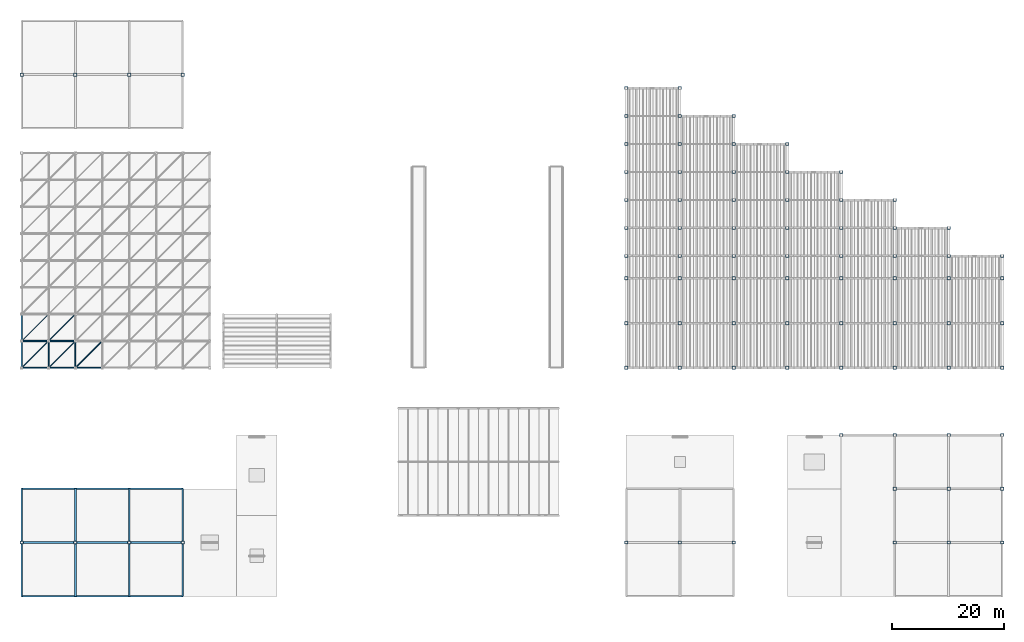
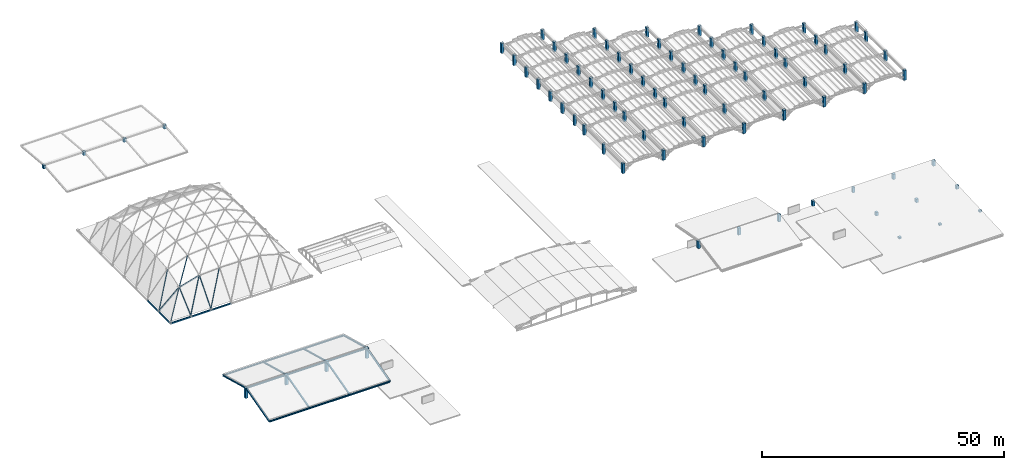
# One storey, part 1 of 70: 80 columns, 22 beams, 9 members.
"""IFC4 building model written with IfcOpenShell, lengths in metres."""

from ifc_helpers import new_model, si_unit, direction, frame, origin, origin_2d, place, context, subcontext, project, spatial, rectangle, hollow_rectangle, hollow_circle, i_section, extrude, material, material_profile, profile_set, type_object, element, save


model = new_model("IFC4")

# Units and contexts
model_context = context("Model", 3, precision=1e-05, world=origin(), true_north=direction((0.0, 1.0)))
body_context = subcontext(model_context, "Body", "Model", "MODEL_VIEW")
ifc_project = project(units=[si_unit("LENGTHUNIT", "METRE"), si_unit("AREAUNIT", "SQUARE_METRE"), si_unit("VOLUMEUNIT", "CUBIC_METRE"), si_unit("PLANEANGLEUNIT", "RADIAN"), si_unit("MASSUNIT", "GRAM", prefix="KILO")], contexts=[model_context])

# Site, building, storey
site_placement = place(None, origin())
site = spatial("IfcSite", under=ifc_project, at=site_placement, CompositionType="ELEMENT")
building_placement = place(site_placement, origin())
building = spatial("IfcBuilding", under=site, at=building_placement, Name="Mavantir Sound Aquarium", CompositionType="ELEMENT")
storey_placement = place(building_placement, frame((0.0, 0.0, 27.0)))
storey = spatial("IfcBuildingStorey", under=building, at=storey_placement, Name="RF", CompositionType="ELEMENT", Elevation=27.0)

# Columns
ifc_material_1 = material(Name="Concrete C40/50", Category="concrete")
ifc_material_profile_1 = material_profile(ifc_material_1, rectangle(XDim=0.60009765625, YDim=0.60009765625, at=origin_2d()), Name="RC 600X600")
ifc_profile_set_1 = profile_set([ifc_material_profile_1], Name="Concrete C40/50")
column_type_1 = type_object("IfcColumnType", Name="COL-RC600-E", PredefinedType="COLUMN", material=ifc_profile_set_1)
for number, where, z_axis, x_axis, name in (
    (1, (108.0, 40.800048828125, -7.199951171875), (0.0, 0.0, 1.0), (1.0, 0.0, 0.0), "Scalloped roof ridge column 1.41"),
    (2, (108.0, 48.800048828125, -7.199951171875), (0.0, 0.0, 1.0), (1.0, 0.0, 0.0), "Scalloped roof ridge column 1.49"),
    (3, (108.0, 56.800048828125, -7.199951171875), (0.0, 0.0, 1.0), (1.0, 0.0, 0.0), "Scalloped roof ridge column 1.57"),
    (4, (108.0, 60.800048828125, -7.199951171875), (0.0, 0.0, 1.0), (1.0, 0.0, 0.0), "Scalloped roof ridge column 1.61"),
    (5, (108.0, 65.800048828125, -7.199951171875), (0.0, 0.0, 1.0), (1.0, 0.0, 0.0), "Scalloped roof ridge column 1.66"),
    (6, (108.0, 70.800048828125, -7.199951171875), (0.0, 0.0, 1.0), (1.0, 0.0, 0.0), "Scalloped roof ridge column 1.71"),
    (7, (108.0, 75.800048828125, -7.199951171875), (0.0, 0.0, 1.0), (1.0, 0.0, 0.0), "Scalloped roof ridge column 1.76"),
    (8, (108.0, 80.800048828125, -7.199951171875), (0.0, 0.0, 1.0), (1.0, 0.0, 0.0), "Scalloped roof ridge column 1.81"),
    (9, (108.0, 85.800048828125, -7.199951171875), (0.0, 0.0, 1.0), (1.0, 0.0, 0.0), "Scalloped roof ridge column 1.86"),
    (10, (108.0, 90.800048828125, -7.199951171875), (0.0, 0.0, 1.0), (1.0, 0.0, 0.0), "Scalloped roof ridge column 1.91"),
    (11, (117.60009765625, 40.800048828125, -7.199951171875), (0.0, 0.0, 1.0), (1.0, 0.0, 0.0), "Scalloped roof ridge column 2.41"),
    (12, (117.60009765625, 90.800048828125, -7.199951171875), (0.0, 0.0, 1.0), (1.0, 0.0, 0.0), "Scalloped roof ridge column 2.91"),
    (13, (127.199951171875, 40.800048828125, -7.199951171875), (0.0, 0.0, 1.0), (1.0, 0.0, 0.0), "Scalloped roof ridge column 3.41"),
    (14, (127.199951171875, 85.800048828125, -7.199951171875), (0.0, 0.0, 1.0), (1.0, 0.0, 0.0), "Scalloped roof ridge column 3.86"),
    (15, (136.800048828125, 40.800048828125, -7.199951171875), (0.0, 0.0, 1.0), (1.0, 0.0, 0.0), "Scalloped roof ridge column 4.41"),
    (16, (136.800048828125, 80.800048828125, -7.199951171875), (0.0, 0.0, 1.0), (1.0, 0.0, 0.0), "Scalloped roof ridge column 4.81"),
    (17, (146.39990234375, 40.800048828125, -7.199951171875), (0.0, 0.0, 1.0), (1.0, 0.0, 0.0), "Scalloped roof ridge column 5.41"),
    (18, (146.39990234375, 75.800048828125, -7.199951171875), (0.0, 0.0, 1.0), (1.0, 0.0, 0.0), "Scalloped roof ridge column 5.76"),
    (19, (156.0, 40.800048828125, -7.199951171875), (0.0, 0.0, 1.0), (1.0, 0.0, 0.0), "Scalloped roof ridge column 6.41"),
    (20, (156.0, 70.800048828125, -7.199951171875), (0.0, 0.0, 1.0), (1.0, 0.0, 0.0), "Scalloped roof ridge column 6.71"),
    (21, (165.60009765625, 40.800048828125, -7.199951171875), (0.0, 0.0, 1.0), (1.0, 0.0, 0.0), "Scalloped roof ridge column 7.41"),
    (22, (165.60009765625, 65.800048828125, -7.199951171875), (0.0, 0.0, 1.0), (1.0, 0.0, 0.0), "Scalloped roof ridge column 7.66"),
    (23, (175.199951171875, 40.800048828125, -7.199951171875), (0.0, 0.0, 1.0), (1.0, 0.0, 0.0), "Scalloped roof ridge column 8.41"),
    (24, (175.199951171875, 48.800048828125, -7.199951171875), (0.0, 0.0, 1.0), (1.0, 0.0, 0.0), "Scalloped roof ridge column 8.49"),
    (25, (175.199951171875, 56.800048828125, -7.199951171875), (0.0, 0.0, 1.0), (1.0, 0.0, 0.0), "Scalloped roof ridge column 8.57"),
    (26, (175.199951171875, 60.800048828125, -7.199951171875), (0.0, 0.0, 1.0), (1.0, 0.0, 0.0), "Scalloped roof ridge column 8.61"),
):
    element("IfcColumn", number, at=place(storey_placement, frame(where, z_axis=z_axis, x_axis=x_axis)), inside=storey, type_object=column_type_1, Name=name, PredefinedType="COLUMN", context=body_context, shape_type="SweptSolid", body=[
        extrude(rectangle(XDim=0.60009765625, YDim=0.60009765625, at=origin_2d()), origin(), (0.0, 0.0, 1.0), 2.5),
    ])
ifc_material_profile_2 = material_profile(ifc_material_1, rectangle(XDim=0.60009765625, YDim=0.60009765625, at=origin_2d()), Name="RC 600X600")
ifc_profile_set_2 = profile_set([ifc_material_profile_2], Name="Concrete C40/50")
column_type_2 = type_object("IfcColumnType", Name="COL-RC600-I", PredefinedType="COLUMN", material=ifc_profile_set_2)
for number, where, z_axis, x_axis, name in (
    (27, (117.60009765625, 48.800048828125, -7.199951171875), (0.0, 0.0, 1.0), (1.0, 0.0, 0.0), "Scalloped roof ridge column 2.49"),
    (28, (117.60009765625, 56.800048828125, -7.199951171875), (0.0, 0.0, 1.0), (1.0, 0.0, 0.0), "Scalloped roof ridge column 2.57"),
    (29, (117.60009765625, 60.800048828125, -7.199951171875), (0.0, 0.0, 1.0), (1.0, 0.0, 0.0), "Scalloped roof ridge column 2.61"),
    (30, (117.60009765625, 65.800048828125, -7.199951171875), (0.0, 0.0, 1.0), (1.0, 0.0, 0.0), "Scalloped roof ridge column 2.66"),
    (31, (117.60009765625, 70.800048828125, -7.199951171875), (0.0, 0.0, 1.0), (1.0, 0.0, 0.0), "Scalloped roof ridge column 2.71"),
    (32, (117.60009765625, 75.800048828125, -7.199951171875), (0.0, 0.0, 1.0), (1.0, 0.0, 0.0), "Scalloped roof ridge column 2.76"),
    (33, (117.60009765625, 80.800048828125, -7.199951171875), (0.0, 0.0, 1.0), (1.0, 0.0, 0.0), "Scalloped roof ridge column 2.81"),
    (34, (117.60009765625, 85.800048828125, -7.199951171875), (0.0, 0.0, 1.0), (1.0, 0.0, 0.0), "Scalloped roof ridge column 2.86"),
    (35, (127.199951171875, 48.800048828125, -7.199951171875), (0.0, 0.0, 1.0), (1.0, 0.0, 0.0), "Scalloped roof ridge column 3.49"),
    (36, (127.199951171875, 56.800048828125, -7.199951171875), (0.0, 0.0, 1.0), (1.0, 0.0, 0.0), "Scalloped roof ridge column 3.57"),
    (37, (127.199951171875, 60.800048828125, -7.199951171875), (0.0, 0.0, 1.0), (1.0, 0.0, 0.0), "Scalloped roof ridge column 3.61"),
    (38, (127.199951171875, 65.800048828125, -7.199951171875), (0.0, 0.0, 1.0), (1.0, 0.0, 0.0), "Scalloped roof ridge column 3.66"),
    (39, (127.199951171875, 70.800048828125, -7.199951171875), (0.0, 0.0, 1.0), (1.0, 0.0, 0.0), "Scalloped roof ridge column 3.71"),
    (40, (127.199951171875, 75.800048828125, -7.199951171875), (0.0, 0.0, 1.0), (1.0, 0.0, 0.0), "Scalloped roof ridge column 3.76"),
    (41, (127.199951171875, 80.800048828125, -7.199951171875), (0.0, 0.0, 1.0), (1.0, 0.0, 0.0), "Scalloped roof ridge column 3.81"),
    (42, (136.800048828125, 48.800048828125, -7.199951171875), (0.0, 0.0, 1.0), (1.0, 0.0, 0.0), "Scalloped roof ridge column 4.49"),
    (43, (136.800048828125, 56.800048828125, -7.199951171875), (0.0, 0.0, 1.0), (1.0, 0.0, 0.0), "Scalloped roof ridge column 4.57"),
    (44, (136.800048828125, 60.800048828125, -7.199951171875), (0.0, 0.0, 1.0), (1.0, 0.0, 0.0), "Scalloped roof ridge column 4.61"),
    (45, (136.800048828125, 65.800048828125, -7.199951171875), (0.0, 0.0, 1.0), (1.0, 0.0, 0.0), "Scalloped roof ridge column 4.66"),
    (46, (136.800048828125, 70.800048828125, -7.199951171875), (0.0, 0.0, 1.0), (1.0, 0.0, 0.0), "Scalloped roof ridge column 4.71"),
    (47, (136.800048828125, 75.800048828125, -7.199951171875), (0.0, 0.0, 1.0), (1.0, 0.0, 0.0), "Scalloped roof ridge column 4.76"),
    (48, (146.39990234375, 48.800048828125, -7.199951171875), (0.0, 0.0, 1.0), (1.0, 0.0, 0.0), "Scalloped roof ridge column 5.49"),
    (49, (146.39990234375, 56.800048828125, -7.199951171875), (0.0, 0.0, 1.0), (1.0, 0.0, 0.0), "Scalloped roof ridge column 5.57"),
    (50, (146.39990234375, 60.800048828125, -7.199951171875), (0.0, 0.0, 1.0), (1.0, 0.0, 0.0), "Scalloped roof ridge column 5.61"),
    (51, (146.39990234375, 65.800048828125, -7.199951171875), (0.0, 0.0, 1.0), (1.0, 0.0, 0.0), "Scalloped roof ridge column 5.66"),
    (52, (146.39990234375, 70.800048828125, -7.199951171875), (0.0, 0.0, 1.0), (1.0, 0.0, 0.0), "Scalloped roof ridge column 5.71"),
    (53, (156.0, 48.800048828125, -7.199951171875), (0.0, 0.0, 1.0), (1.0, 0.0, 0.0), "Scalloped roof ridge column 6.49"),
    (54, (156.0, 56.800048828125, -7.199951171875), (0.0, 0.0, 1.0), (1.0, 0.0, 0.0), "Scalloped roof ridge column 6.57"),
    (55, (156.0, 60.800048828125, -7.199951171875), (0.0, 0.0, 1.0), (1.0, 0.0, 0.0), "Scalloped roof ridge column 6.61"),
    (56, (156.0, 65.800048828125, -7.199951171875), (0.0, 0.0, 1.0), (1.0, 0.0, 0.0), "Scalloped roof ridge column 6.66"),
    (57, (165.60009765625, 48.800048828125, -7.199951171875), (0.0, 0.0, 1.0), (1.0, 0.0, 0.0), "Scalloped roof ridge column 7.49"),
    (58, (165.60009765625, 56.800048828125, -7.199951171875), (0.0, 0.0, 1.0), (1.0, 0.0, 0.0), "Scalloped roof ridge column 7.57"),
    (59, (165.60009765625, 60.800048828125, -7.199951171875), (0.0, 0.0, 1.0), (1.0, 0.0, 0.0), "Scalloped roof ridge column 7.61"),
):
    element("IfcColumn", number, at=place(storey_placement, frame(where, z_axis=z_axis, x_axis=x_axis)), inside=storey, type_object=column_type_2, Name=name, PredefinedType="COLUMN", context=body_context, shape_type="SweptSolid", body=[
        extrude(rectangle(XDim=0.60009765625, YDim=0.60009765625, at=origin_2d()), origin(), (0.0, 0.0, 1.0), 2.5),
    ])
for number, where, z_axis, x_axis, name in (
    (60, (0.0, 9.60009765625, -7.199951171875), (0.0, 0.0, 1.0), (1.0, 0.0, 0.0), "Pavilion gable ridge post 1"),
    (61, (9.60009765625, 9.60009765625, -7.199951171875), (0.0, 0.0, 1.0), (1.0, 0.0, 0.0), "Pavilion gable ridge post 2"),
    (62, (19.199951171875, 9.60009765625, -7.199951171875), (0.0, 0.0, 1.0), (1.0, 0.0, 0.0), "Pavilion gable ridge post 3"),
    (63, (28.800048828125, 9.60009765625, -7.199951171875), (0.0, 0.0, 1.0), (1.0, 0.0, 0.0), "Pavilion gable ridge post 4"),
):
    element("IfcColumn", number, at=place(storey_placement, frame(where, z_axis=z_axis, x_axis=x_axis)), inside=storey, type_object=column_type_2, Name=name, PredefinedType="COLUMN", context=body_context, shape_type="SweptSolid", body=[
        extrude(rectangle(XDim=0.60009765625, YDim=0.60009765625, at=origin_2d()), origin(), (0.0, 0.0, 1.0), 2.599853515625),
    ])
for number, where, z_axis, x_axis, name in (
    (64, (0.0, 93.199951171875, 0.0), (0.0, 0.0, 1.0), (1.0, 0.0, 0.0), "Pavilion gable ridge post 22"),
    (65, (9.60009765625, 93.199951171875, 0.0), (0.0, 0.0, 1.0), (1.0, 0.0, 0.0), "Pavilion gable ridge post 23"),
    (66, (19.199951171875, 93.199951171875, 0.0), (0.0, 0.0, 1.0), (1.0, 0.0, 0.0), "Pavilion gable ridge post 24"),
    (67, (28.800048828125, 93.199951171875, 0.0), (0.0, 0.0, 1.0), (1.0, 0.0, 0.0), "Pavilion gable ridge post 25"),
):
    element("IfcColumn", number, at=place(storey_placement, frame(where, z_axis=z_axis, x_axis=x_axis)), inside=storey, type_object=column_type_2, Name=name, PredefinedType="COLUMN", context=body_context, shape_type="SweptSolid", body=[
        extrude(rectangle(XDim=0.60009765625, YDim=0.60009765625, at=origin_2d()), origin(), (0.0, 0.0, 1.0), 0.89990234375),
    ])
for number, where, z_axis, x_axis, name in (
    (68, (108.0, 9.60009765625, -7.199951171875), (0.0, 0.0, 1.0), (1.0, 0.0, 0.0), "Pavilion gable ridge post 43"),
    (69, (117.60009765625, 9.60009765625, -7.199951171875), (0.0, 0.0, 1.0), (1.0, 0.0, 0.0), "Pavilion gable ridge post 44"),
    (70, (127.199951171875, 9.60009765625, -7.199951171875), (0.0, 0.0, 1.0), (1.0, 0.0, 0.0), "Pavilion gable ridge post 45"),
):
    element("IfcColumn", number, at=place(storey_placement, frame(where, z_axis=z_axis, x_axis=x_axis)), inside=storey, type_object=column_type_2, Name=name, PredefinedType="COLUMN", context=body_context, shape_type="SweptSolid", body=[
        extrude(rectangle(XDim=0.60009765625, YDim=0.60009765625, at=origin_2d()), origin(), (0.0, 0.0, 1.0), 1.800048828125),
    ])
column_1_placement = place(storey_placement, frame((146.39990234375, 28.800048828125, -21.60009765625), z_axis=(0.0, 0.0, 1.0), x_axis=(1.0, 0.0, 0.0)))
element("IfcColumn", 71, at=column_1_placement, inside=storey, type_object=column_type_2, Name="Pavilion gable ridge post 58", PredefinedType="COLUMN", context=body_context, shape_type="SweptSolid", body=[
    extrude(rectangle(XDim=0.60009765625, YDim=0.60009765625, at=origin_2d()), origin(), (0.0, 0.0, 1.0), 1.300048828125),
])
column_2_placement = place(storey_placement, frame((156.0, 9.60009765625, -21.60009765625), z_axis=(0.0, 0.0, 1.0), x_axis=(1.0, 0.0, 0.0)))
element("IfcColumn", 72, at=column_2_placement, inside=storey, type_object=column_type_2, Name="Pavilion gable ridge post 59", PredefinedType="COLUMN", context=body_context, shape_type="SweptSolid", body=[
    extrude(rectangle(XDim=0.60009765625, YDim=0.60009765625, at=origin_2d()), origin(), (0.0, 0.0, 1.0), 0.433349609375),
])
column_3_placement = place(storey_placement, frame((156.0, 19.199951171875, -21.60009765625), z_axis=(0.0, 0.0, 1.0), x_axis=(1.0, 0.0, 0.0)))
element("IfcColumn", 73, at=column_3_placement, inside=storey, type_object=column_type_2, Name="Pavilion gable ridge post 60", PredefinedType="COLUMN", context=body_context, shape_type="SweptSolid", body=[
    extrude(rectangle(XDim=0.60009765625, YDim=0.60009765625, at=origin_2d()), origin(), (0.0, 0.0, 1.0), 0.86669921875),
])
column_4_placement = place(storey_placement, frame((156.0, 28.800048828125, -21.60009765625), z_axis=(0.0, 0.0, 1.0), x_axis=(1.0, 0.0, 0.0)))
element("IfcColumn", 74, at=column_4_placement, inside=storey, type_object=column_type_2, Name="Pavilion gable ridge post 61", PredefinedType="COLUMN", context=body_context, shape_type="SweptSolid", body=[
    extrude(rectangle(XDim=0.60009765625, YDim=0.60009765625, at=origin_2d()), origin(), (0.0, 0.0, 1.0), 1.300048828125),
])
column_5_placement = place(storey_placement, frame((165.60009765625, 9.60009765625, -21.60009765625), z_axis=(0.0, 0.0, 1.0), x_axis=(1.0, 0.0, 0.0)))
element("IfcColumn", 75, at=column_5_placement, inside=storey, type_object=column_type_2, Name="Pavilion gable ridge post 62", PredefinedType="COLUMN", context=body_context, shape_type="SweptSolid", body=[
    extrude(rectangle(XDim=0.60009765625, YDim=0.60009765625, at=origin_2d()), origin(), (0.0, 0.0, 1.0), 0.433349609375),
])
column_6_placement = place(storey_placement, frame((165.60009765625, 19.199951171875, -21.60009765625), z_axis=(0.0, 0.0, 1.0), x_axis=(1.0, 0.0, 0.0)))
element("IfcColumn", 76, at=column_6_placement, inside=storey, type_object=column_type_2, Name="Pavilion gable ridge post 63", PredefinedType="COLUMN", context=body_context, shape_type="SweptSolid", body=[
    extrude(rectangle(XDim=0.60009765625, YDim=0.60009765625, at=origin_2d()), origin(), (0.0, 0.0, 1.0), 0.86669921875),
])
column_7_placement = place(storey_placement, frame((165.60009765625, 28.800048828125, -21.60009765625), z_axis=(0.0, 0.0, 1.0), x_axis=(1.0, 0.0, 0.0)))
element("IfcColumn", 77, at=column_7_placement, inside=storey, type_object=column_type_2, Name="Pavilion gable ridge post 64", PredefinedType="COLUMN", context=body_context, shape_type="SweptSolid", body=[
    extrude(rectangle(XDim=0.60009765625, YDim=0.60009765625, at=origin_2d()), origin(), (0.0, 0.0, 1.0), 1.300048828125),
])
column_8_placement = place(storey_placement, frame((175.199951171875, 9.60009765625, -21.60009765625), z_axis=(0.0, 0.0, 1.0), x_axis=(1.0, 0.0, 0.0)))
element("IfcColumn", 78, at=column_8_placement, inside=storey, type_object=column_type_2, Name="Pavilion gable ridge post 65", PredefinedType="COLUMN", context=body_context, shape_type="SweptSolid", body=[
    extrude(rectangle(XDim=0.60009765625, YDim=0.60009765625, at=origin_2d()), origin(), (0.0, 0.0, 1.0), 0.433349609375),
])
column_9_placement = place(storey_placement, frame((175.199951171875, 19.199951171875, -21.60009765625), z_axis=(0.0, 0.0, 1.0), x_axis=(1.0, 0.0, 0.0)))
element("IfcColumn", 79, at=column_9_placement, inside=storey, type_object=column_type_2, Name="Pavilion gable ridge post 66", PredefinedType="COLUMN", context=body_context, shape_type="SweptSolid", body=[
    extrude(rectangle(XDim=0.60009765625, YDim=0.60009765625, at=origin_2d()), origin(), (0.0, 0.0, 1.0), 0.86669921875),
])
column_10_placement = place(storey_placement, frame((175.199951171875, 28.800048828125, -21.60009765625), z_axis=(0.0, 0.0, 1.0), x_axis=(1.0, 0.0, 0.0)))
element("IfcColumn", 80, at=column_10_placement, inside=storey, type_object=column_type_2, Name="Pavilion gable ridge post 67", PredefinedType="COLUMN", context=body_context, shape_type="SweptSolid", body=[
    extrude(rectangle(XDim=0.60009765625, YDim=0.60009765625, at=origin_2d()), origin(), (0.0, 0.0, 1.0), 1.300048828125),
])

# Beams
ifc_material_2 = material(Name="Hollow Structural Steel ASTM A500 GrC", Category="steel")
ifc_material_profile_3 = material_profile(ifc_material_2, hollow_rectangle(XDim=0.25, YDim=0.35009765625, WallThickness=0.012451171875, InnerFilletRadius=0.012451171875, OuterFilletRadius=0.02490234375, at=origin_2d()), Name="RHS 350X250X12.5")
ifc_profile_set_3 = profile_set([ifc_material_profile_3], Name="Hollow Structural Steel ASTM A500 GrC")
beam_type_1 = type_object("IfcBeamType", Name="BM-RB-RHS350-E", PredefinedType="BEAM", material=ifc_profile_set_3)
for number, where, z_axis, x_axis, name in (
    (81, (0.0, 40.800048828125, -7.419921875), (0.999991302772, 0.0, 0.004170656977), (0.0, 1.0, 0.0), "Gridshell perimeter ring beam RB-02 1"),
    (82, (4.800048828125, 40.800048828125, -7.419921875), (0.999991302772, 0.0, 0.004170656977), (0.0, 1.0, 0.0), "Gridshell perimeter ring beam RB-02 3"),
):
    element("IfcBeam", number, at=place(storey_placement, frame(where, z_axis=z_axis, x_axis=x_axis)), inside=storey, type_object=beam_type_1, Name=name, PredefinedType="BEAM", context=body_context, shape_type="SweptSolid", body=[
        extrude(hollow_rectangle(XDim=0.25, YDim=0.35009765625, WallThickness=0.012451171875, InnerFilletRadius=0.012451171875, OuterFilletRadius=0.02490234375, at=origin_2d()), origin(), (0.0, 0.0, 1.0), 4.800048828125),
    ])
beam_1_placement = place(storey_placement, frame((9.60009765625, 40.800048828125, -7.419921875), z_axis=(0.999991301888, 0.0, 0.004170869113), x_axis=(0.0, 1.0, 0.0)))
element("IfcBeam", 83, at=beam_1_placement, inside=storey, type_object=beam_type_1, Name="Gridshell perimeter ring beam RB-02 5", PredefinedType="BEAM", context=body_context, shape_type="SweptSolid", body=[
    extrude(hollow_rectangle(XDim=0.25, YDim=0.35009765625, WallThickness=0.012451171875, InnerFilletRadius=0.012451171875, OuterFilletRadius=0.02490234375, at=origin_2d()), origin(), (0.0, 0.0, 1.0), 4.7998046875),
])
beam_2_placement = place(storey_placement, frame((0.0, 40.800048828125, -7.419921875), z_axis=(0.0, 0.999991302772, 0.004170656977), x_axis=(-1.0, 0.0, 0.0)))
element("IfcBeam", 84, at=beam_2_placement, inside=storey, type_object=beam_type_1, Name="Gridshell perimeter ring beam RB-02 15", PredefinedType="BEAM", context=body_context, shape_type="SweptSolid", body=[
    extrude(hollow_rectangle(XDim=0.25, YDim=0.35009765625, WallThickness=0.012451171875, InnerFilletRadius=0.012451171875, OuterFilletRadius=0.02490234375, at=origin_2d()), origin(), (0.0, 0.0, 1.0), 4.800048828125),
])
beam_3_placement = place(storey_placement, frame((0.0, 45.60009765625, -7.419921875), z_axis=(0.0, 0.999991301888, 0.004170869113), x_axis=(-1.0, 0.0, 0.0)))
element("IfcBeam", 85, at=beam_3_placement, inside=storey, type_object=beam_type_1, Name="Gridshell perimeter ring beam RB-02 17", PredefinedType="BEAM", context=body_context, shape_type="SweptSolid", body=[
    extrude(hollow_rectangle(XDim=0.25, YDim=0.35009765625, WallThickness=0.012451171875, InnerFilletRadius=0.012451171875, OuterFilletRadius=0.02490234375, at=origin_2d()), origin(), (0.0, 0.0, 1.0), 4.7998046875),
])
ifc_material_3 = material(Name="Structural Steel ASTM A992 Gr50", Category="steel")
ifc_material_profile_4 = material_profile(ifc_material_3, i_section(OverallWidth=0.304931640625, OverallDepth=0.30810546875, WebThickness=0.010009765625, FlangeThickness=0.015380859375, FilletRadius=0.014892578125, at=origin_2d()), Name="W310X97")
ifc_profile_set_4 = profile_set([ifc_material_profile_4], Name="Structural Steel ASTM A992 Gr50")
beam_type_2 = type_object("IfcBeamType", Name="BM-W310X97-E", PredefinedType="SPANDREL", material=ifc_profile_set_4)
beam_4_placement = place(storey_placement, frame((0.0, 0.0, -7.413330078125), z_axis=(1.0, 0.0, 0.0), x_axis=(0.0, 1.0, 0.0)))
element("IfcBeam", 86, at=beam_4_placement, inside=storey, type_object=beam_type_2, Name="Pavilion roof rafter beam 5", PredefinedType="SPANDREL", context=body_context, shape_type="SweptSolid", body=[
    extrude(i_section(OverallWidth=0.304931640625, OverallDepth=0.30810546875, WebThickness=0.010009765625, FlangeThickness=0.015380859375, FilletRadius=0.014892578125, at=origin_2d()), origin(), (0.0, 0.0, 1.0), 9.60009765625),
])
beam_5_placement = place(storey_placement, frame((9.60009765625, 0.0, -7.413330078125), z_axis=(1.0, 0.0, 0.0), x_axis=(0.0, 1.0, 0.0)))
element("IfcBeam", 87, at=beam_5_placement, inside=storey, type_object=beam_type_2, Name="Pavilion roof rafter beam 6", PredefinedType="SPANDREL", context=body_context, shape_type="SweptSolid", body=[
    extrude(i_section(OverallWidth=0.304931640625, OverallDepth=0.30810546875, WebThickness=0.010009765625, FlangeThickness=0.015380859375, FilletRadius=0.014892578125, at=origin_2d()), origin(), (0.0, 0.0, 1.0), 9.599853515625),
])
for number, where, z_axis, x_axis, name in (
    (88, (19.199951171875, 0.0, -7.413330078125), (1.0, 0.0, 0.0), (0.0, 1.0, 0.0), "Pavilion roof rafter beam 7"),
    (89, (0.0, 9.60009765625, -4.8134765625), (1.0, 0.0, 0.0), (0.0, 1.0, 0.0), "Pavilion roof rafter beam 8"),
):
    element("IfcBeam", number, at=place(storey_placement, frame(where, z_axis=z_axis, x_axis=x_axis)), inside=storey, type_object=beam_type_2, Name=name, PredefinedType="SPANDREL", context=body_context, shape_type="SweptSolid", body=[
        extrude(i_section(OverallWidth=0.304931640625, OverallDepth=0.30810546875, WebThickness=0.010009765625, FlangeThickness=0.015380859375, FilletRadius=0.014892578125, at=origin_2d()), origin(), (0.0, 0.0, 1.0), 9.60009765625),
    ])
beam_6_placement = place(storey_placement, frame((9.60009765625, 9.60009765625, -4.8134765625), z_axis=(1.0, 0.0, 0.0), x_axis=(0.0, 1.0, 0.0)))
element("IfcBeam", 90, at=beam_6_placement, inside=storey, type_object=beam_type_2, Name="Pavilion roof rafter beam 9", PredefinedType="SPANDREL", context=body_context, shape_type="SweptSolid", body=[
    extrude(i_section(OverallWidth=0.304931640625, OverallDepth=0.30810546875, WebThickness=0.010009765625, FlangeThickness=0.015380859375, FilletRadius=0.014892578125, at=origin_2d()), origin(), (0.0, 0.0, 1.0), 9.599853515625),
])
beam_7_placement = place(storey_placement, frame((19.199951171875, 9.60009765625, -4.8134765625), z_axis=(1.0, 0.0, 0.0), x_axis=(0.0, 1.0, 0.0)))
element("IfcBeam", 91, at=beam_7_placement, inside=storey, type_object=beam_type_2, Name="Pavilion roof rafter beam 10", PredefinedType="SPANDREL", context=body_context, shape_type="SweptSolid", body=[
    extrude(i_section(OverallWidth=0.304931640625, OverallDepth=0.30810546875, WebThickness=0.010009765625, FlangeThickness=0.015380859375, FilletRadius=0.014892578125, at=origin_2d()), origin(), (0.0, 0.0, 1.0), 9.60009765625),
])
for number, where, z_axis, x_axis, name in (
    (92, (0.0, 0.0, -7.377685546875), (0.0, 0.965224565388, 0.261422145908), (-1.0, 0.0, 0.0), "Pavilion roof slope rafter 11"),
    (93, (9.60009765625, 0.0, -7.377685546875), (0.0, 0.965224565388, 0.261422145908), (-1.0, 0.0, 0.0), "Pavilion roof slope rafter 12"),
    (94, (19.199951171875, 0.0, -7.377685546875), (0.0, 0.965224565388, 0.261422145908), (-1.0, 0.0, 0.0), "Pavilion roof slope rafter 13"),
    (95, (28.800048828125, 0.0, -7.377685546875), (0.0, 0.965224565388, 0.261422145908), (-1.0, 0.0, 0.0), "Pavilion roof slope rafter 14"),
):
    element("IfcBeam", number, at=place(storey_placement, frame(where, z_axis=z_axis, x_axis=x_axis)), inside=storey, type_object=beam_type_2, Name=name, PredefinedType="SPANDREL", context=body_context, shape_type="SweptSolid", body=[
        extrude(i_section(OverallWidth=0.304931640625, OverallDepth=0.30810546875, WebThickness=0.010009765625, FlangeThickness=0.015380859375, FilletRadius=0.014892578125, at=origin_2d()), origin(), (0.0, 0.0, 1.0), 9.946044921875),
    ])
beam_8_placement = place(storey_placement, frame((0.0, 19.199951171875, -7.413330078125), z_axis=(1.0, 0.0, 0.0), x_axis=(0.0, 1.0, 0.0)))
element("IfcBeam", 96, at=beam_8_placement, inside=storey, type_object=beam_type_2, Name="Pavilion roof rafter beam 15", PredefinedType="SPANDREL", context=body_context, shape_type="SweptSolid", body=[
    extrude(i_section(OverallWidth=0.304931640625, OverallDepth=0.30810546875, WebThickness=0.010009765625, FlangeThickness=0.015380859375, FilletRadius=0.014892578125, at=origin_2d()), origin(), (0.0, 0.0, 1.0), 9.60009765625),
])
beam_9_placement = place(storey_placement, frame((9.60009765625, 19.199951171875, -7.413330078125), z_axis=(1.0, 0.0, 0.0), x_axis=(0.0, 1.0, 0.0)))
element("IfcBeam", 97, at=beam_9_placement, inside=storey, type_object=beam_type_2, Name="Pavilion roof rafter beam 16", PredefinedType="SPANDREL", context=body_context, shape_type="SweptSolid", body=[
    extrude(i_section(OverallWidth=0.304931640625, OverallDepth=0.30810546875, WebThickness=0.010009765625, FlangeThickness=0.015380859375, FilletRadius=0.014892578125, at=origin_2d()), origin(), (0.0, 0.0, 1.0), 9.599853515625),
])
beam_10_placement = place(storey_placement, frame((19.199951171875, 19.199951171875, -7.413330078125), z_axis=(1.0, 0.0, 0.0), x_axis=(0.0, 1.0, 0.0)))
element("IfcBeam", 98, at=beam_10_placement, inside=storey, type_object=beam_type_2, Name="Pavilion roof rafter beam 17", PredefinedType="SPANDREL", context=body_context, shape_type="SweptSolid", body=[
    extrude(i_section(OverallWidth=0.304931640625, OverallDepth=0.30810546875, WebThickness=0.010009765625, FlangeThickness=0.015380859375, FilletRadius=0.014892578125, at=origin_2d()), origin(), (0.0, 0.0, 1.0), 9.60009765625),
])
for number, where, z_axis, x_axis, name in (
    (99, (0.0, 9.60009765625, -4.777587890625), (0.0, 0.965222887771, -0.261428339939), (-1.0, 0.0, 0.0), "Pavilion roof slope rafter 18"),
    (100, (9.60009765625, 9.60009765625, -4.777587890625), (0.0, 0.965222887771, -0.261428339939), (-1.0, 0.0, 0.0), "Pavilion roof slope rafter 19"),
    (101, (19.199951171875, 9.60009765625, -4.777587890625), (0.0, 0.965222887771, -0.261428339939), (-1.0, 0.0, 0.0), "Pavilion roof slope rafter 20"),
    (102, (28.800048828125, 9.60009765625, -4.777587890625), (0.0, 0.965222887771, -0.261428339939), (-1.0, 0.0, 0.0), "Pavilion roof slope rafter 21"),
):
    element("IfcBeam", number, at=place(storey_placement, frame(where, z_axis=z_axis, x_axis=x_axis)), inside=storey, type_object=beam_type_2, Name=name, PredefinedType="SPANDREL", context=body_context, shape_type="SweptSolid", body=[
        extrude(i_section(OverallWidth=0.304931640625, OverallDepth=0.30810546875, WebThickness=0.010009765625, FlangeThickness=0.015380859375, FilletRadius=0.014892578125, at=origin_2d()), origin(), (0.0, 0.0, 1.0), 9.94580078125),
    ])

# Members
ifc_material_profile_5 = material_profile(ifc_material_2, hollow_circle(Radius=0.084228515625, WallThickness=0.008056640625, at=origin_2d()), Name="CHS 168.3X8")
ifc_profile_set_5 = profile_set([ifc_material_profile_5], Name="Hollow Structural Steel ASTM A500 GrC")
member_type_1 = type_object("IfcMemberType", Name="MEM-GS-CH168", PredefinedType="BRACE", material=ifc_profile_set_5)
member_1_placement = place(storey_placement, frame((0.0, 45.60009765625, -7.199951171875), z_axis=(0.534318205262, 0.53429102871, 0.655009276397), x_axis=(-0.707088798028, 0.707124763888, 0.0)))
element("IfcMember", 103, at=member_1_placement, inside=storey, type_object=member_type_1, Name="Gridshell diagonal brace 2", PredefinedType="BRACE", context=body_context, shape_type="SweptSolid", body=[
    extrude(hollow_circle(Radius=0.084228515625, WallThickness=0.008056640625, at=origin_2d()), origin(), (0.0, 0.0, 1.0), 8.9833984375),
])
member_2_placement = place(storey_placement, frame((4.800048828125, 40.800048828125, -7.199951171875), z_axis=(0.545029317962, 0.545029317962, 0.637091896923), x_axis=(-0.707106781187, 0.707106781187, 0.0)))
element("IfcMember", 104, at=member_2_placement, inside=storey, type_object=member_type_1, Name="Gridshell diagonal brace 9", PredefinedType="BRACE", context=body_context, shape_type="SweptSolid", body=[
    extrude(hollow_circle(Radius=0.084228515625, WallThickness=0.008056640625, at=origin_2d()), origin(), (0.0, 0.0, 1.0), 8.806884765625),
])
ifc_material_profile_6 = material_profile(ifc_material_2, hollow_circle(Radius=0.109619140625, WallThickness=0.010009765625, at=origin_2d()), Name="CHS 219.1X10")
ifc_profile_set_6 = profile_set([ifc_material_profile_6], Name="Hollow Structural Steel ASTM A500 GrC")
member_type_2 = type_object("IfcMemberType", Name="MEM-GS-CH219", PredefinedType="BRACE", material=ifc_profile_set_6)
member_3_placement = place(storey_placement, frame((0.0, 40.800048828125, -7.199951171875), z_axis=(0.598888802262, 0.598888802262, 0.531661927404), x_axis=(-0.707106781187, 0.707106781187, 0.0)))
element("IfcMember", 105, at=member_3_placement, inside=storey, type_object=member_type_2, Name="Gridshell diagonal brace 1", PredefinedType="BRACE", context=body_context, shape_type="SweptSolid", body=[
    extrude(hollow_circle(Radius=0.109619140625, WallThickness=0.010009765625, at=origin_2d()), origin(), (0.0, 0.0, 1.0), 8.014892578125),
])
member_4_placement = place(storey_placement, frame((4.800048828125, 45.60009765625, -2.938720703125), z_axis=(0.627946587393, 0.627914648703, 0.459789383659), x_axis=(-0.707088798028, 0.707124763888, 0.0)))
element("IfcMember", 106, at=member_4_placement, inside=storey, type_object=member_type_2, Name="Gridshell diagonal brace 10", PredefinedType="BRACE", context=body_context, shape_type="SweptSolid", body=[
    extrude(hollow_circle(Radius=0.109619140625, WallThickness=0.010009765625, at=origin_2d()), origin(), (0.0, 0.0, 1.0), 7.64404296875),
])
member_5_placement = place(storey_placement, frame((9.60009765625, 40.800048828125, -7.199951171875), z_axis=(0.535071298314, 0.535098514555, 0.653734109131), x_axis=(-0.707124763888, 0.707088798028, 0.0)))
element("IfcMember", 107, at=member_5_placement, inside=storey, type_object=member_type_2, Name="Gridshell diagonal brace 17", PredefinedType="BRACE", context=body_context, shape_type="SweptSolid", body=[
    extrude(hollow_circle(Radius=0.109619140625, WallThickness=0.010009765625, at=origin_2d()), origin(), (0.0, 0.0, 1.0), 8.970458984375),
])
ifc_material_profile_7 = material_profile(ifc_material_2, hollow_circle(Radius=0.136474609375, WallThickness=0.010009765625, at=origin_2d()), Name="CHS 273X10")
ifc_profile_set_7 = profile_set([ifc_material_profile_7], Name="Hollow Structural Steel ASTM A500 GrC")
member_type_3 = type_object("IfcMemberType", Name="MEM-GS-CH273", PredefinedType="CHORD", material=ifc_profile_set_7)
member_6_placement = place(storey_placement, frame((4.800048828125, 40.800048828125, -7.199951171875), z_axis=(0.0, 0.747833075326, 0.663886806202), x_axis=(-1.0, 0.0, 0.0)))
element("IfcMember", 108, at=member_6_placement, inside=storey, type_object=member_type_3, Name="Roof truss gridshell meridional chord 50", PredefinedType="CHORD", context=body_context, shape_type="SweptSolid", body=[
    extrude(hollow_circle(Radius=0.136474609375, WallThickness=0.010009765625, at=origin_2d()), origin(), (0.0, 0.0, 1.0), 6.418701171875),
])
member_7_placement = place(storey_placement, frame((9.60009765625, 40.800048828125, -7.199951171875), z_axis=(0.0, 0.650069508377, 0.759874749073), x_axis=(-1.0, 0.0, 0.0)))
element("IfcMember", 109, at=member_7_placement, inside=storey, type_object=member_type_3, Name="Roof truss gridshell meridional chord 58", PredefinedType="CHORD", context=body_context, shape_type="SweptSolid", body=[
    extrude(hollow_circle(Radius=0.136474609375, WallThickness=0.010009765625, at=origin_2d()), origin(), (0.0, 0.0, 1.0), 7.3837890625),
])
ifc_material_profile_8 = material_profile(ifc_material_2, hollow_circle(Radius=0.161865234375, WallThickness=0.012451171875, at=origin_2d()), Name="CHS 323.9X12.5")
ifc_profile_set_8 = profile_set([ifc_material_profile_8], Name="Hollow Structural Steel ASTM A500 GrC")
member_type_4 = type_object("IfcMemberType", Name="MEM-GS-CH324", PredefinedType="CHORD", material=ifc_profile_set_8)
member_8_placement = place(storey_placement, frame((0.0, 45.60009765625, -7.199951171875), z_axis=(0.747833075326, 0.0, 0.663886806202), x_axis=(0.0, 1.0, 0.0)))
element("IfcMember", 110, at=member_8_placement, inside=storey, type_object=member_type_4, Name="Roof truss gridshell longitudinal chord 1", PredefinedType="CHORD", context=body_context, shape_type="SweptSolid", body=[
    extrude(hollow_circle(Radius=0.161865234375, WallThickness=0.012451171875, at=origin_2d()), origin(), (0.0, 0.0, 1.0), 6.418701171875),
])
member_9_placement = place(storey_placement, frame((4.800048828125, 45.60009765625, -2.938720703125), z_axis=(0.962672073516, 0.0, 0.270670424821), x_axis=(0.0, 1.0, 0.0)))
element("IfcMember", 111, at=member_9_placement, inside=storey, type_object=member_type_4, Name="Roof truss gridshell longitudinal chord 2", PredefinedType="CHORD", context=body_context, shape_type="SweptSolid", body=[
    extrude(hollow_circle(Radius=0.161865234375, WallThickness=0.012451171875, at=origin_2d()), origin(), (0.0, 0.0, 1.0), 4.986083984375),
])

save(model, "model.ifc")
